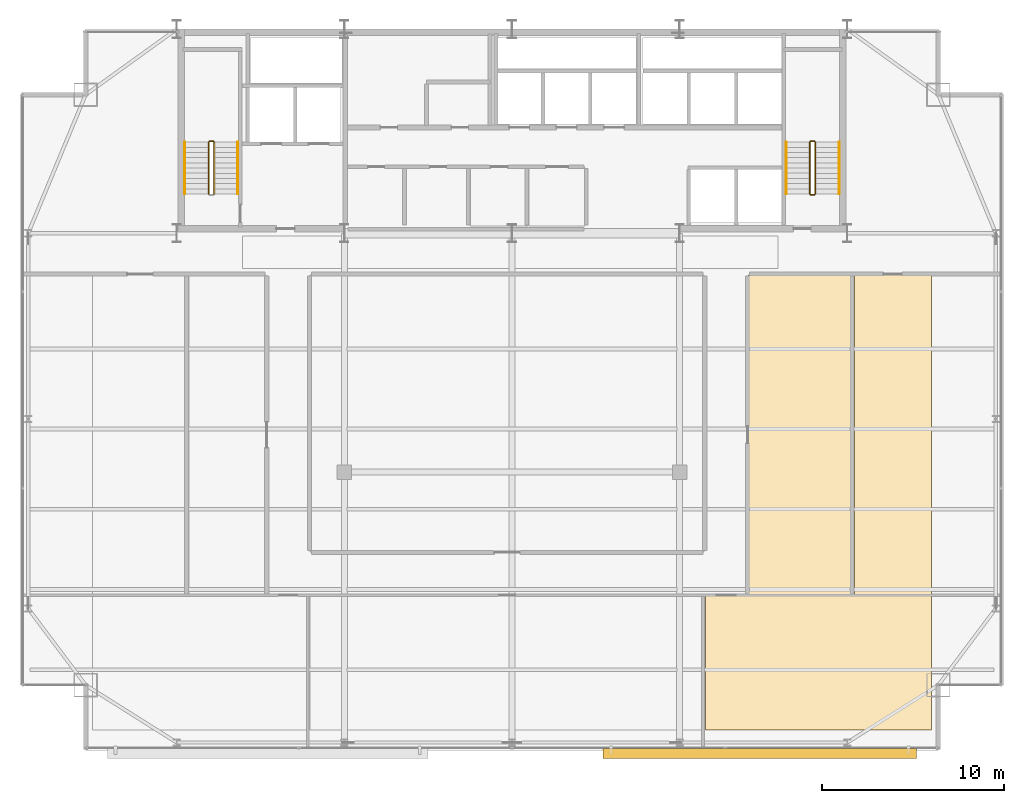
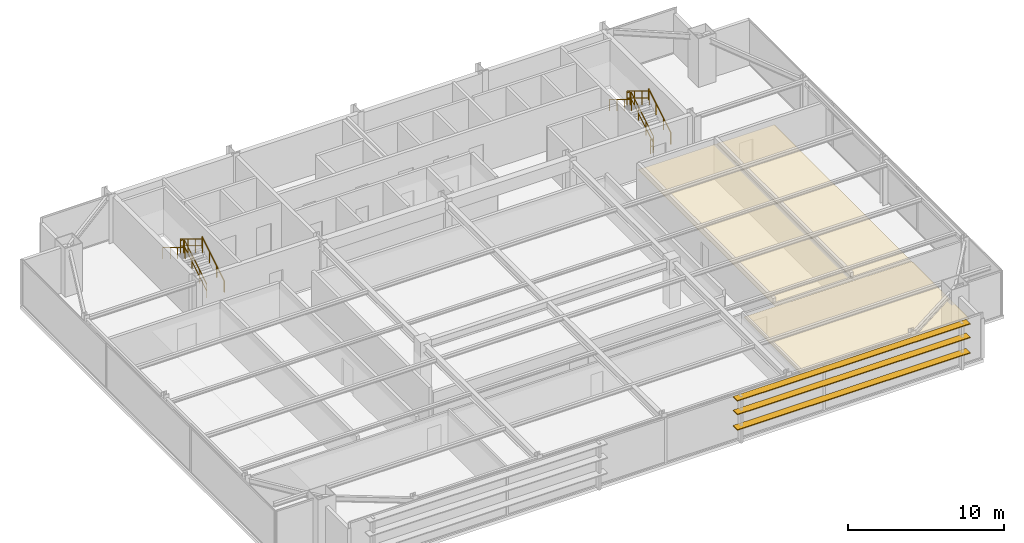
# One storey, part 29 of 29: 11 railings, 3 coverings, 3 shading devices.
"""IFC4 building model written with IfcOpenShell, lengths in metres."""

from ifc_helpers import new_model, si_unit, direction, frame, origin, origin_2d, place, context, subcontext, project, spatial, polyline, rectangle, outline, extrude, source, transform, mapped, material, layer, layer_set, type_object, type_shapes, element, save


model = new_model("IFC4")

# Units and contexts
model_context = context("Model", 3, precision=1e-05, world=origin(), true_north=direction((0.0, 1.0)))
body_context = subcontext(model_context, "Body", "Model", "MODEL_VIEW")
ifc_project = project(units=[si_unit("LENGTHUNIT", "METRE"), si_unit("AREAUNIT", "SQUARE_METRE"), si_unit("VOLUMEUNIT", "CUBIC_METRE"), si_unit("PLANEANGLEUNIT", "RADIAN"), si_unit("MASSUNIT", "GRAM", prefix="KILO")], contexts=[model_context])

# Site, building, storey
site_placement = place(None, origin())
site = spatial("IfcSite", under=ifc_project, at=site_placement, CompositionType="ELEMENT")
building_placement = place(site_placement, origin())
building = spatial("IfcBuilding", under=site, at=building_placement, Name="Varnel Quay Broadcast Tower", CompositionType="ELEMENT")
storey_placement = place(building_placement, frame((0.0, 0.0, 172.39990234375)))
storey = spatial("IfcBuildingStorey", under=building, at=storey_placement, Name="L42", CompositionType="ELEMENT", Elevation=172.39990234375)

# Coverings
ifc_material_1 = material(Name="Micro-Perforated Acoustic Ceiling Tile")
ifc_layer_1 = layer(ifc_material_1, 0.0400390625, Name="Micro-Perforated Acoustic Ceiling Tile")
ifc_layer_set_1 = layer_set([ifc_layer_1], Name="Micro-Perforated Acoustic Ceiling Tile")
covering_type = type_object("IfcCoveringType", Name="Cov_AcousticCeiling", PredefinedType="CEILING", material=ifc_layer_set_1)
covering_1_placement = place(storey_placement, frame((0.0, 0.0, 2.580078125)))
element("IfcCovering", 1, at=covering_1_placement, inside=storey, type_object=covering_type, Name="L42 Broadcast Seminar Room 3 Acoustic Ceiling", PredefinedType="CEILING", context=body_context, shape_type="SweptSolid", body=[
    extrude(outline(polyline([(44.614990234375, 8.324951171875), (57.014892578125, 8.324951171875), (57.014892578125, 15.695068359375), (44.614990234375, 15.695068359375), (44.614990234375, 8.324951171875)])), origin(), (0.0, 0.0, 1.0), 0.0400390625),
])
covering_2_placement = place(storey_placement, frame((0.0, 0.0, 2.580078125)))
element("IfcCovering", 2, at=covering_2_placement, inside=storey, type_object=covering_type, Name="L42 Audio Control Room 7 Acoustic Ceiling", PredefinedType="CEILING", context=body_context, shape_type="SweptSolid", body=[
    extrude(outline(polyline([(46.965087890625, 15.764892578125), (52.715087890625, 15.764892578125), (52.715087890625, 33.31494140625), (46.965087890625, 33.31494140625), (46.965087890625, 15.764892578125)])), origin(), (0.0, 0.0, 1.0), 0.0400390625),
])
covering_3_placement = place(storey_placement, frame((0.0, 0.0, 2.580078125)))
element("IfcCovering", 3, at=covering_3_placement, inside=storey, type_object=covering_type, Name="L42 Talent Lounge 8 Acoustic Ceiling", PredefinedType="CEILING", context=body_context, shape_type="SweptSolid", body=[
    extrude(outline(polyline([(52.784912109375, 15.764892578125), (57.014892578125, 15.764892578125), (57.014892578125, 33.31494140625), (52.784912109375, 33.31494140625), (52.784912109375, 15.764892578125)])), origin(), (0.0, 0.0, 1.0), 0.0400390625),
])

# Railings
ifc_material_2 = material(Name="Painted Steel Guard and Handrail CSA G40.21 350W", Category="steel")
railing_type_1 = type_object("IfcRailingType", Name="Rail_StairGuard1100", PredefinedType="GUARDRAIL", material=ifc_material_2)
railing_1_placement = place(storey_placement, frame((17.64990234375, 37.75, 0.1728515625)))
element("IfcRailing", 4, at=railing_1_placement, inside=storey, type_object=railing_type_1, Name="L42 ST-01 stair guard 1", PredefinedType="GUARDRAIL", context=body_context, shape_type="SweptSolid", body=[
    extrude(rectangle(XDim=0.048095703125, YDim=0.048095703125, at=origin_2d()), frame((0.0, 0.0, 1.076171875), z_axis=(0.0, 0.855202751398, 0.518293598264), x_axis=(-1.0, 0.0, 0.0)), (0.0, 0.0, 1.0), 3.332763671875),
    extrude(rectangle(XDim=0.048095703125, YDim=0.048095703125, at=origin_2d()), frame((0.0, 0.0, 0.550048828125), z_axis=(0.0, 0.855202751398, 0.518293598264), x_axis=(-1.0, 0.0, 0.0)), (0.0, 0.0, 1.0), 3.332763671875),
    extrude(rectangle(XDim=0.0419921875, YDim=0.0419921875, at=origin_2d()), origin(), (0.0, 0.0, 1.0), 1.052001953125),
    extrude(rectangle(XDim=0.0419921875, YDim=0.0419921875, at=origin_2d()), frame((0.0, 0.949951171875, 0.57568359375)), (0.0, 0.0, 1.0), 1.052001953125),
    extrude(rectangle(XDim=0.0419921875, YDim=0.0419921875, at=origin_2d()), frame((0.0, 1.900146484375, 1.151611328125)), (0.0, 0.0, 1.0), 1.052001953125),
    extrude(rectangle(XDim=0.0419921875, YDim=0.0419921875, at=origin_2d()), frame((0.0, 2.85009765625, 1.727294921875)), (0.0, 0.0, 1.0), 1.052001953125),
])
railing_2_placement = place(storey_placement, frame((17.60009765625, 40.64990234375, 1.900146484375)))
element("IfcRailing", 5, at=railing_2_placement, inside=storey, type_object=railing_type_1, Name="L42 ST-01 stair guard 2", PredefinedType="GUARDRAIL", context=body_context, shape_type="SweptSolid", body=[
    extrude(rectangle(XDim=0.048095703125, YDim=0.048095703125, at=origin_2d()), frame((0.0, 0.0, 1.076171875), z_axis=(-1.0, 0.0, 0.0), x_axis=(0.0, -1.0, 0.0)), (0.0, 0.0, 1.0), 0.2001953125),
    extrude(rectangle(XDim=0.048095703125, YDim=0.048095703125, at=origin_2d()), frame((0.0, 0.0, 0.550048828125), z_axis=(-1.0, 0.0, 0.0), x_axis=(0.0, -1.0, 0.0)), (0.0, 0.0, 1.0), 0.2001953125),
    extrude(rectangle(XDim=0.0419921875, YDim=0.0419921875, at=origin_2d()), origin(), (0.0, 0.0, 1.0), 1.052001953125),
    extrude(rectangle(XDim=0.0419921875, YDim=0.0419921875, at=origin_2d()), frame((-0.2001953125, 0.0, 0.0)), (0.0, 0.0, 1.0), 1.052001953125),
])
railing_3_placement = place(storey_placement, frame((17.35009765625, 40.60009765625, 2.07275390625)))
element("IfcRailing", 6, at=railing_3_placement, inside=storey, type_object=railing_type_1, Name="L42 ST-01 stair guard 3", PredefinedType="GUARDRAIL", context=body_context, shape_type="SweptSolid", body=[
    extrude(rectangle(XDim=0.048095703125, YDim=0.048095703125, at=origin_2d()), frame((0.0, 0.0, 1.076171875), z_axis=(0.0, -0.855202751398, 0.518293598264), x_axis=(1.0, 0.0, 0.0)), (0.0, 0.0, 1.0), 3.332763671875),
    extrude(rectangle(XDim=0.048095703125, YDim=0.048095703125, at=origin_2d()), frame((0.0, 0.0, 0.550048828125), z_axis=(0.0, -0.855202751398, 0.518293598264), x_axis=(1.0, 0.0, 0.0)), (0.0, 0.0, 1.0), 3.332763671875),
    extrude(rectangle(XDim=0.0419921875, YDim=0.0419921875, at=origin_2d()), origin(), (0.0, 0.0, 1.0), 1.052001953125),
    extrude(rectangle(XDim=0.0419921875, YDim=0.0419921875, at=origin_2d()), frame((0.0, -0.949951171875, 0.57568359375)), (0.0, 0.0, 1.0), 1.052001953125),
    extrude(rectangle(XDim=0.0419921875, YDim=0.0419921875, at=origin_2d()), frame((0.0, -1.900146484375, 1.151611328125)), (0.0, 0.0, 1.0), 1.052001953125),
    extrude(rectangle(XDim=0.0419921875, YDim=0.0419921875, at=origin_2d()), frame((0.0, -2.85009765625, 1.727294921875)), (0.0, 0.0, 1.0), 1.052001953125),
])
railing_4_placement = place(storey_placement, frame((50.64990234375, 37.75, 0.1728515625)))
element("IfcRailing", 7, at=railing_4_placement, inside=storey, type_object=railing_type_1, Name="L42 ST-02 stair guard 1", PredefinedType="GUARDRAIL", context=body_context, shape_type="SweptSolid", body=[
    extrude(rectangle(XDim=0.048095703125, YDim=0.048095703125, at=origin_2d()), frame((0.0, 0.0, 1.076171875), z_axis=(0.0, 0.855202751398, 0.518293598264), x_axis=(-1.0, 0.0, 0.0)), (0.0, 0.0, 1.0), 3.332763671875),
    extrude(rectangle(XDim=0.048095703125, YDim=0.048095703125, at=origin_2d()), frame((0.0, 0.0, 0.550048828125), z_axis=(0.0, 0.855202751398, 0.518293598264), x_axis=(-1.0, 0.0, 0.0)), (0.0, 0.0, 1.0), 3.332763671875),
    extrude(rectangle(XDim=0.0419921875, YDim=0.0419921875, at=origin_2d()), origin(), (0.0, 0.0, 1.0), 1.052001953125),
    extrude(rectangle(XDim=0.0419921875, YDim=0.0419921875, at=origin_2d()), frame((0.0, 0.949951171875, 0.57568359375)), (0.0, 0.0, 1.0), 1.052001953125),
    extrude(rectangle(XDim=0.0419921875, YDim=0.0419921875, at=origin_2d()), frame((0.0, 1.900146484375, 1.151611328125)), (0.0, 0.0, 1.0), 1.052001953125),
    extrude(rectangle(XDim=0.0419921875, YDim=0.0419921875, at=origin_2d()), frame((0.0, 2.85009765625, 1.727294921875)), (0.0, 0.0, 1.0), 1.052001953125),
])
railing_5_placement = place(storey_placement, frame((50.60009765625, 40.64990234375, 1.900146484375)))
element("IfcRailing", 8, at=railing_5_placement, inside=storey, type_object=railing_type_1, Name="L42 ST-02 stair guard 2", PredefinedType="GUARDRAIL", context=body_context, shape_type="SweptSolid", body=[
    extrude(rectangle(XDim=0.048095703125, YDim=0.048095703125, at=origin_2d()), frame((0.0, 0.0, 1.076171875), z_axis=(-1.0, 0.0, 0.0), x_axis=(0.0, -1.0, 0.0)), (0.0, 0.0, 1.0), 0.2001953125),
    extrude(rectangle(XDim=0.048095703125, YDim=0.048095703125, at=origin_2d()), frame((0.0, 0.0, 0.550048828125), z_axis=(-1.0, 0.0, 0.0), x_axis=(0.0, -1.0, 0.0)), (0.0, 0.0, 1.0), 0.2001953125),
    extrude(rectangle(XDim=0.0419921875, YDim=0.0419921875, at=origin_2d()), origin(), (0.0, 0.0, 1.0), 1.052001953125),
    extrude(rectangle(XDim=0.0419921875, YDim=0.0419921875, at=origin_2d()), frame((-0.2001953125, 0.0, 0.0)), (0.0, 0.0, 1.0), 1.052001953125),
])
railing_6_placement = place(storey_placement, frame((50.35009765625, 40.60009765625, 2.07275390625)))
element("IfcRailing", 9, at=railing_6_placement, inside=storey, type_object=railing_type_1, Name="L42 ST-02 stair guard 3", PredefinedType="GUARDRAIL", context=body_context, shape_type="SweptSolid", body=[
    extrude(rectangle(XDim=0.048095703125, YDim=0.048095703125, at=origin_2d()), frame((0.0, 0.0, 1.076171875), z_axis=(0.0, -0.855202751398, 0.518293598264), x_axis=(1.0, 0.0, 0.0)), (0.0, 0.0, 1.0), 3.332763671875),
    extrude(rectangle(XDim=0.048095703125, YDim=0.048095703125, at=origin_2d()), frame((0.0, 0.0, 0.550048828125), z_axis=(0.0, -0.855202751398, 0.518293598264), x_axis=(1.0, 0.0, 0.0)), (0.0, 0.0, 1.0), 3.332763671875),
    extrude(rectangle(XDim=0.0419921875, YDim=0.0419921875, at=origin_2d()), origin(), (0.0, 0.0, 1.0), 1.052001953125),
    extrude(rectangle(XDim=0.0419921875, YDim=0.0419921875, at=origin_2d()), frame((0.0, -0.949951171875, 0.57568359375)), (0.0, 0.0, 1.0), 1.052001953125),
    extrude(rectangle(XDim=0.0419921875, YDim=0.0419921875, at=origin_2d()), frame((0.0, -1.900146484375, 1.151611328125)), (0.0, 0.0, 1.0), 1.052001953125),
    extrude(rectangle(XDim=0.0419921875, YDim=0.0419921875, at=origin_2d()), frame((0.0, -2.85009765625, 1.727294921875)), (0.0, 0.0, 1.0), 1.052001953125),
])
railing_7_placement = place(storey_placement, frame((50.60009765625, 37.699951171875, 0.0)))
element("IfcRailing", 10, at=railing_7_placement, inside=storey, type_object=railing_type_1, Name="L42 ST-02 stair guard 4", PredefinedType="GUARDRAIL", context=body_context, shape_type="SweptSolid", body=[
    extrude(rectangle(XDim=0.048095703125, YDim=0.048095703125, at=origin_2d()), frame((0.0, 0.0, 1.076171875), z_axis=(-1.0, 0.0, 0.0), x_axis=(0.0, -1.0, 0.0)), (0.0, 0.0, 1.0), 0.2001953125),
    extrude(rectangle(XDim=0.048095703125, YDim=0.048095703125, at=origin_2d()), frame((0.0, 0.0, 0.550048828125), z_axis=(-1.0, 0.0, 0.0), x_axis=(0.0, -1.0, 0.0)), (0.0, 0.0, 1.0), 0.2001953125),
    extrude(rectangle(XDim=0.0419921875, YDim=0.0419921875, at=origin_2d()), origin(), (0.0, 0.0, 1.0), 1.052001953125),
    extrude(rectangle(XDim=0.0419921875, YDim=0.0419921875, at=origin_2d()), frame((-0.2001953125, 0.0, 0.0)), (0.0, 0.0, 1.0), 1.052001953125),
])
railing_type_2 = type_object("IfcRailingType", Name="Rail_StairHandrail900", PredefinedType="HANDRAIL", material=ifc_material_2)
railing_8_placement = place(storey_placement, frame((18.949951171875, 37.75, 0.1728515625)))
element("IfcRailing", 11, at=railing_8_placement, inside=storey, type_object=railing_type_2, Name="L42 ST-01 stair handrail 1", PredefinedType="HANDRAIL", context=body_context, shape_type="SweptSolid", body=[
    extrude(rectangle(XDim=0.048095703125, YDim=0.048095703125, at=origin_2d()), frame((0.0, 0.0, 0.8759765625), z_axis=(0.0, 0.855202751398, 0.518293598264), x_axis=(-1.0, 0.0, 0.0)), (0.0, 0.0, 1.0), 3.332763671875),
    extrude(rectangle(XDim=0.0419921875, YDim=0.0419921875, at=origin_2d()), origin(), (0.0, 0.0, 1.0), 0.851806640625),
    extrude(rectangle(XDim=0.0419921875, YDim=0.0419921875, at=origin_2d()), frame((0.0, 0.949951171875, 0.57568359375)), (0.0, 0.0, 1.0), 0.851806640625),
    extrude(rectangle(XDim=0.0419921875, YDim=0.0419921875, at=origin_2d()), frame((0.0, 1.900146484375, 1.151611328125)), (0.0, 0.0, 1.0), 0.851806640625),
    extrude(rectangle(XDim=0.0419921875, YDim=0.0419921875, at=origin_2d()), frame((0.0, 2.85009765625, 1.727294921875)), (0.0, 0.0, 1.0), 0.851806640625),
])
railing_9_placement = place(storey_placement, frame((16.050048828125, 40.60009765625, 2.07275390625)))
element("IfcRailing", 12, at=railing_9_placement, inside=storey, type_object=railing_type_2, Name="L42 ST-01 stair handrail 2", PredefinedType="HANDRAIL", context=body_context, shape_type="SweptSolid", body=[
    extrude(rectangle(XDim=0.048095703125, YDim=0.048095703125, at=origin_2d()), frame((0.0, 0.0, 0.8759765625), z_axis=(0.0, -0.855202751398, 0.518293598264), x_axis=(1.0, 0.0, 0.0)), (0.0, 0.0, 1.0), 3.332763671875),
    extrude(rectangle(XDim=0.0419921875, YDim=0.0419921875, at=origin_2d()), origin(), (0.0, 0.0, 1.0), 0.851806640625),
    extrude(rectangle(XDim=0.0419921875, YDim=0.0419921875, at=origin_2d()), frame((0.0, -0.949951171875, 0.57568359375)), (0.0, 0.0, 1.0), 0.851806640625),
    extrude(rectangle(XDim=0.0419921875, YDim=0.0419921875, at=origin_2d()), frame((0.0, -1.900146484375, 1.151611328125)), (0.0, 0.0, 1.0), 0.851806640625),
    extrude(rectangle(XDim=0.0419921875, YDim=0.0419921875, at=origin_2d()), frame((0.0, -2.85009765625, 1.727294921875)), (0.0, 0.0, 1.0), 0.851806640625),
])
railing_10_placement = place(storey_placement, frame((51.949951171875, 37.75, 0.1728515625)))
element("IfcRailing", 13, at=railing_10_placement, inside=storey, type_object=railing_type_2, Name="L42 ST-02 stair handrail 1", PredefinedType="HANDRAIL", context=body_context, shape_type="SweptSolid", body=[
    extrude(rectangle(XDim=0.048095703125, YDim=0.048095703125, at=origin_2d()), frame((0.0, 0.0, 0.8759765625), z_axis=(0.0, 0.855202751398, 0.518293598264), x_axis=(-1.0, 0.0, 0.0)), (0.0, 0.0, 1.0), 3.332763671875),
    extrude(rectangle(XDim=0.0419921875, YDim=0.0419921875, at=origin_2d()), origin(), (0.0, 0.0, 1.0), 0.851806640625),
    extrude(rectangle(XDim=0.0419921875, YDim=0.0419921875, at=origin_2d()), frame((0.0, 0.949951171875, 0.57568359375)), (0.0, 0.0, 1.0), 0.851806640625),
    extrude(rectangle(XDim=0.0419921875, YDim=0.0419921875, at=origin_2d()), frame((0.0, 1.900146484375, 1.151611328125)), (0.0, 0.0, 1.0), 0.851806640625),
    extrude(rectangle(XDim=0.0419921875, YDim=0.0419921875, at=origin_2d()), frame((0.0, 2.85009765625, 1.727294921875)), (0.0, 0.0, 1.0), 0.851806640625),
])
railing_11_placement = place(storey_placement, frame((49.050048828125, 40.60009765625, 2.07275390625)))
element("IfcRailing", 14, at=railing_11_placement, inside=storey, type_object=railing_type_2, Name="L42 ST-02 stair handrail 2", PredefinedType="HANDRAIL", context=body_context, shape_type="SweptSolid", body=[
    extrude(rectangle(XDim=0.048095703125, YDim=0.048095703125, at=origin_2d()), frame((0.0, 0.0, 0.8759765625), z_axis=(0.0, -0.855202751398, 0.518293598264), x_axis=(1.0, 0.0, 0.0)), (0.0, 0.0, 1.0), 3.332763671875),
    extrude(rectangle(XDim=0.0419921875, YDim=0.0419921875, at=origin_2d()), origin(), (0.0, 0.0, 1.0), 0.851806640625),
    extrude(rectangle(XDim=0.0419921875, YDim=0.0419921875, at=origin_2d()), frame((0.0, -0.949951171875, 0.57568359375)), (0.0, 0.0, 1.0), 0.851806640625),
    extrude(rectangle(XDim=0.0419921875, YDim=0.0419921875, at=origin_2d()), frame((0.0, -1.900146484375, 1.151611328125)), (0.0, 0.0, 1.0), 0.851806640625),
    extrude(rectangle(XDim=0.0419921875, YDim=0.0419921875, at=origin_2d()), frame((0.0, -2.85009765625, 1.727294921875)), (0.0, 0.0, 1.0), 0.851806640625),
])

# Shading devices
ifc_material_3 = material(Name="Bronze-Terracotta Extruded Ceramic Blade", Category="masonry")
ifc_layer_2 = layer(ifc_material_3, 0.06494140625, Name="Bronze-Terracotta Extruded Ceramic Blade")
ifc_layer_set_2 = layer_set([ifc_layer_2], Name="Bronze-Terracotta Extruded Ceramic Blade")
shading_device_type = type_object("IfcShadingDeviceType", Name="Shade_LouvreBlade550", PredefinedType="JALOUSIE", material=ifc_layer_set_2)
shared_shape = source(origin(), body_context, "Body", "SweptSolid", [
    extrude(rectangle(XDim=17.212890625, YDim=0.550048828125, at=origin_2d()), origin(), (0.0, 0.0, 1.0), 0.06494140625),
])
type_shapes(shading_device_type, [shared_shape])
for number, where, z_axis, x_axis, name in (
    (15, (47.593994140625, 7.06005859375, 1.11767578125), (0.0, 0.0, 1.0), (1.0, 0.0, 0.0), "L42 Lobe 2 Horizontal Louvre Blade 1"),
    (16, (47.593994140625, 7.06005859375, 2.317626953125), (0.0, 0.0, 1.0), (1.0, 0.0, 0.0), "L42 Lobe 2 Horizontal Louvre Blade 2"),
    (17, (47.593994140625, 7.06005859375, 3.3876953125), (0.0, 0.0, 1.0), (1.0, 0.0, 0.0), "L42 Lobe 2 Horizontal Louvre Blade 3"),
):
    element("IfcShadingDevice", number, at=place(storey_placement, frame(where, z_axis=z_axis, x_axis=x_axis)), inside=storey, type_object=shading_device_type, Name=name, PredefinedType="JALOUSIE", context=body_context, shape_type="MappedRepresentation", body=[
        mapped(shared_shape, transform((0.0, 0.0, 0.0), x_axis=(1.0, 0.0, 0.0), y_axis=(0.0, 1.0, 0.0), z_axis=(0.0, 0.0, 1.0), scale=1.0)),
    ])

save(model, "model.ifc")
